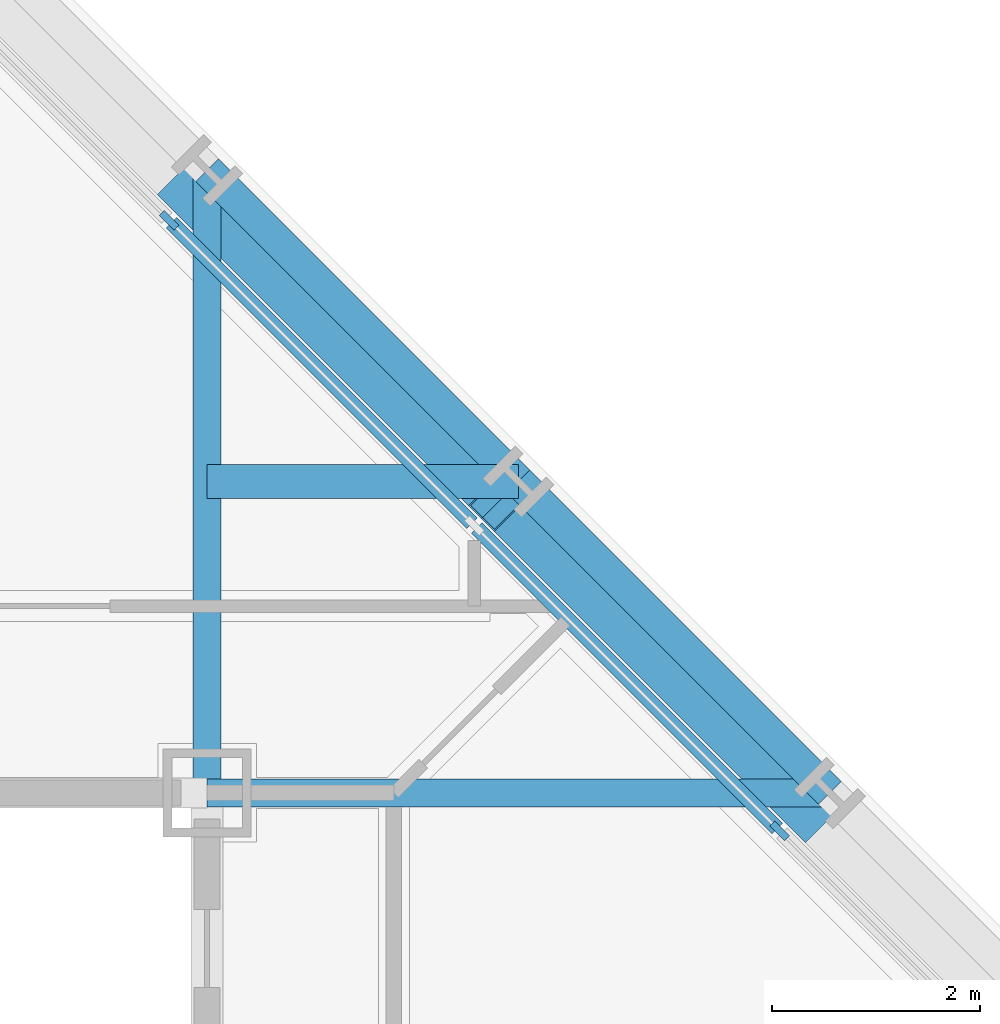
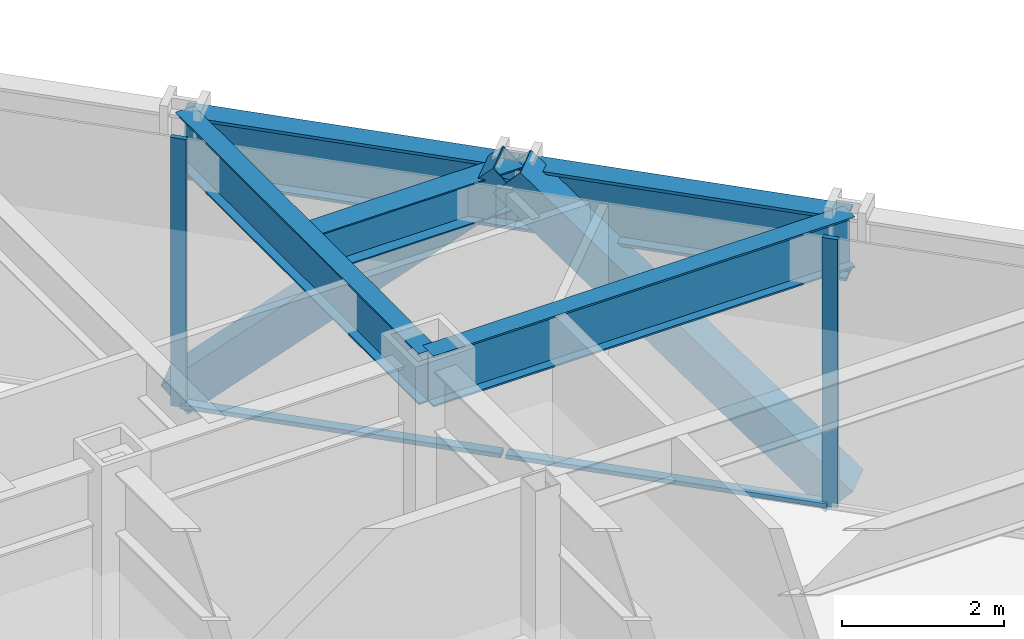
# One storey, part 8 of 17: 6 members, 5 beams, 1 element without a shape of its own.
"""IFC4 building model written with IfcOpenShell, lengths in metres."""

import ifcopenshell
import ifcopenshell.guid

model = None  # the IFC model being written
_history = None  # IfcOwnerHistory: only IFC2X3 demands one
_inside = {}  # id of a spatial element -> (the spatial element, [elements in it])
_under = {}  # id of a project, library or spatial element -> (it, [spatial elements below it])
_declared = {}  # id of a project -> (the project, [libraries it declares])
_typed = {}  # id of a type object -> (the type object, [elements of that type])
_made_of = {}  # id of a material, layer set ... -> (it, [elements and type objects made of it])


def new_model(schema):
    """Start an empty IFC model of exactly this schema.

    Asked for "IFC4X3", IfcOpenShell would pick the latest addendum, in which some entities
    have other attributes; the version numbers below select the first issue.
    IFC2X3 requires an IfcOwnerHistory on every rooted entity: one is made here for all.
    """
    global model, _history
    if schema == "IFC4X3":
        model = ifcopenshell.file(schema_version=(4, 3, 0, 0))
    else:
        model = ifcopenshell.file(schema=schema)
    _inside.clear()
    _under.clear()
    _declared.clear()
    _typed.clear()
    _made_of.clear()
    _history = None
    if model.schema == "IFC2X3":
        org = make("IfcOrganization", Name="unknown")
        user = make(
            "IfcPersonAndOrganization",
            ThePerson=make("IfcPerson", FamilyName="unknown"),
            TheOrganization=org,
        )
        app = make(
            "IfcApplication",
            ApplicationDeveloper=org,
            Version="unknown",
            ApplicationFullName="unknown",
            ApplicationIdentifier="unknown",
        )
        _history = make(
            "IfcOwnerHistory",
            OwningUser=user,
            OwningApplication=app,
            ChangeAction="ADDED",
            CreationDate=0,
        )
    return model


def make(cls, **values):
    """One entity of the class cls with the attributes given. An attribute that is None is left unset."""
    return model.create_entity(
        cls, **{name: value for name, value in values.items() if value is not None}
    )


def rooted(cls, **values):
    """An entity with a GlobalId (a new one), such as an element, a storey or a relation."""
    return make(cls, GlobalId=ifcopenshell.guid.new(), OwnerHistory=_history, **values)


def si_unit(unit_type, name, prefix=None):
    """IfcSIUnit, for example si_unit("LENGTHUNIT", "METRE", prefix="MILLI")."""
    return make("IfcSIUnit", UnitType=unit_type, Prefix=prefix, Name=name)


def assignment(units):
    """IfcUnitAssignment: the units of a project."""
    return None if units is None else make("IfcUnitAssignment", Units=units)


def point(xyz):
    """IfcCartesianPoint."""
    return None if xyz is None else make("IfcCartesianPoint", Coordinates=xyz)


def direction(xyz):
    """IfcDirection."""
    return None if xyz is None else make("IfcDirection", DirectionRatios=xyz)


def frame(location, z_axis=None, x_axis=None):
    """IfcAxis2Placement3D, a coordinate frame: its origin and axes. An axis left out is left unset."""
    return make(
        "IfcAxis2Placement3D",
        Location=point(location),
        Axis=direction(z_axis),
        RefDirection=direction(x_axis),
    )


def frame_2d(location, x_axis=None):
    """IfcAxis2Placement2D, a coordinate frame in the plane: its origin and x axis."""
    return make(
        "IfcAxis2Placement2D", Location=point(location), RefDirection=direction(x_axis)
    )


def origin():
    """The frame at (0, 0, 0) with its axes left unset."""
    return frame((0.0, 0.0, 0.0))


def origin_2d():
    """The frame at (0, 0) in the plane with its x axis left unset."""
    return frame_2d((0.0, 0.0))


def place(relative_to, where):
    """IfcLocalPlacement: puts the frame where relative to a parent placement (None: the world)."""
    return make(
        "IfcLocalPlacement", PlacementRelTo=relative_to, RelativePlacement=where
    )


def context(
    kind, dimensions, precision=None, world=None, true_north=None, identifier=None
):
    """IfcGeometricRepresentationContext, for example the 3D "Model" context."""
    return make(
        "IfcGeometricRepresentationContext",
        ContextIdentifier=identifier,
        ContextType=kind,
        CoordinateSpaceDimension=dimensions,
        Precision=precision,
        WorldCoordinateSystem=world,
        TrueNorth=true_north,
    )


def subcontext(parent, identifier, kind, view, scale=None):
    """IfcGeometricRepresentationSubContext, for example "Body" below "Model"."""
    return make(
        "IfcGeometricRepresentationSubContext",
        ContextIdentifier=identifier,
        ContextType=kind,
        ParentContext=parent,
        TargetScale=scale,
        TargetView=view,
    )


def project(units=None, contexts=None):
    """IfcProject with its units and contexts."""
    return rooted(
        "IfcProject",
        Name="project",
        RepresentationContexts=contexts,
        UnitsInContext=assignment(units),
    )


def spatial(cls, under=None, at=None, **own):
    """A site, building, storey or space (cls), placed at a placement, below another one or the project."""
    s = rooted(cls, ObjectPlacement=at, **own)
    if under is not None:
        _under.setdefault(under.id(), (under, []))[1].append(s)
    return s


def profile(cls, at=None, kind="AREA", **sizes):
    """A parametric profile (cls). Its sizes go by their IFC names, for example OverallWidth=200.0."""
    return make(cls, ProfileType=kind, Position=at, **sizes)


def rectangle(**sizes):
    """IfcRectangleProfileDef."""
    return profile("IfcRectangleProfileDef", **sizes)


def hollow_rectangle(**sizes):
    """IfcRectangleHollowProfileDef."""
    return profile("IfcRectangleHollowProfileDef", **sizes)


def i_section(**sizes):
    """IfcIShapeProfileDef."""
    return profile("IfcIShapeProfileDef", **sizes)


def extrude(swept, where, along, depth):
    """IfcExtrudedAreaSolid: the profile swept, set in the frame where, extruded along a direction by depth."""
    return make(
        "IfcExtrudedAreaSolid",
        SweptArea=swept,
        Position=where,
        ExtrudedDirection=direction(along),
        Depth=depth,
    )


def shape(context_of_items, identifier, shape_type, items):
    """IfcShapeRepresentation: the items that make up one representation, for example the "Body"."""
    return make(
        "IfcShapeRepresentation",
        ContextOfItems=context_of_items,
        RepresentationIdentifier=identifier,
        RepresentationType=shape_type,
        Items=items,
    )


def material(Name=None, Category=None):
    """IfcMaterial."""
    return make("IfcMaterial", Name=Name, Category=Category)


def layer(
    of_material, thickness, ventilated=None, Name=None, Category=None, Priority=None
):
    """IfcMaterialLayer: one layer of a wall or slab, of a material (None: an air gap)."""
    return make(
        "IfcMaterialLayer",
        Material=of_material,
        LayerThickness=thickness,
        IsVentilated=ventilated,
        Name=Name,
        Category=Category,
        Priority=Priority,
    )


def layer_set(layers, Name=None):
    """IfcMaterialLayerSet."""
    return make("IfcMaterialLayerSet", MaterialLayers=layers, LayerSetName=Name)


def material_profile(
    of_material, cross_section, Name=None, Category=None, Priority=None
):
    """IfcMaterialProfile: a cross section and its material."""
    return make(
        "IfcMaterialProfile",
        Name=Name,
        Material=of_material,
        Profile=cross_section,
        Priority=Priority,
        Category=Category,
    )


def profile_set(profiles, Name=None, composite=None):
    """IfcMaterialProfileSet."""
    return make(
        "IfcMaterialProfileSet",
        Name=Name,
        MaterialProfiles=profiles,
        CompositeProfile=composite,
    )


def made_of(thing, what):
    """Note that an element or type object is made of a material, layer set ...; save() writes the relation."""
    if what is not None:
        _made_of.setdefault(what.id(), (what, []))[1].append(thing)
    return thing


def type_object(cls, material=None, **own):
    """A type object (cls), such as IfcWallType, which elements share."""
    return made_of(rooted(cls, **own), material)


def element(
    cls,
    number,
    at=None,
    inside=None,
    cuts=None,
    type_object=None,
    material=None,
    context=None,
    identifier="Body",
    shape_type=None,
    held_by="IfcProductDefinitionShape",
    body=None,
    shapes=None,
    **own,
):
    """One element of the class cls, such as IfcWall. Its Tag is "e" and its number.

    at: its placement. inside: the storey or other place that contains it. cuts: it is an
    opening in that element (IfcRelVoidsElement). A single representation is given by context,
    identifier, shape_type and body (its items); several are given by shapes. held_by: the class
    of the entity that holds the representations. save() writes the other relations.
    """
    e = rooted(cls, Tag="e%d" % number, ObjectPlacement=at, **own)
    if body is not None:
        shapes = [shape(context, identifier, shape_type, body)]
    if shapes is not None:
        e.Representation = make(held_by, Representations=shapes)
    if inside is not None:
        _inside.setdefault(inside.id(), (inside, []))[1].append(e)
    if cuts is not None:
        rooted(
            "IfcRelVoidsElement", RelatingBuildingElement=cuts, RelatedOpeningElement=e
        )
    if type_object is not None:
        _typed.setdefault(type_object.id(), (type_object, []))[1].append(e)
    return made_of(e, material)


def aggregate(whole, parts):
    """IfcRelAggregates: a whole, such as a stair, and the parts it consists of."""
    return rooted("IfcRelAggregates", RelatingObject=whole, RelatedObjects=parts)


def save(model, path):
    """Write the relations noted so far, then the file.

    IfcRelAggregates (storeys below a building ...), IfcRelContainedInSpatialStructure (elements
    in a storey), IfcRelDefinesByType, IfcRelAssociatesMaterial and IfcRelDeclares: one each for
    every whole, place, type object, material and project.
    """
    for whole, parts in _under.values():
        aggregate(whole, parts)
    for where, things in _inside.values():
        rooted(
            "IfcRelContainedInSpatialStructure",
            RelatedElements=things,
            RelatingStructure=where,
        )
    for kind, things in _typed.values():
        rooted("IfcRelDefinesByType", RelatedObjects=things, RelatingType=kind)
    for what, things in _made_of.values():
        rooted("IfcRelAssociatesMaterial", RelatedObjects=things, RelatingMaterial=what)
    for by, libraries in _declared.values():
        rooted("IfcRelDeclares", RelatingContext=by, RelatedDefinitions=libraries)
    model.write(path)


model = new_model("IFC4")

# Units and contexts
model_context = context("Model", 3, precision=1e-05, world=origin(), true_north=direction((0.0, 1.0)))
body_context = subcontext(model_context, "Body", "Model", "MODEL_VIEW")
ifc_project = project(units=[si_unit("LENGTHUNIT", "METRE"), si_unit("AREAUNIT", "SQUARE_METRE"), si_unit("VOLUMEUNIT", "CUBIC_METRE"), si_unit("PLANEANGLEUNIT", "RADIAN"), si_unit("MASSUNIT", "GRAM", prefix="KILO")], contexts=[model_context])

# Site, building, storey
site_placement = place(None, origin())
site = spatial("IfcSite", under=ifc_project, at=site_placement, CompositionType="ELEMENT")
building_placement = place(site_placement, origin())
building = spatial("IfcBuilding", under=site, at=building_placement, Name="Chuquiago Exchange Tower", CompositionType="ELEMENT")
storey_placement = place(building_placement, frame((0.0, 0.0, 132.0)))
storey = spatial("IfcBuildingStorey", under=building, at=storey_placement, Name="L28", CompositionType="ELEMENT", Elevation=132.0)

# Beam
ifc_material_1 = material(Name="Steel ASTM A992", Category="steel")
ifc_material_profile_1 = material_profile(ifc_material_1, i_section(OverallWidth=0.3251953125, OverallDepth=0.612060546875, WebThickness=0.0126953125, FlangeThickness=0.01904296875, at=origin_2d()), Name="W24X104")
ifc_profile_set_1 = profile_set([ifc_material_profile_1], Name="Steel ASTM A992")
beam_type_1 = type_object("IfcBeamType", Name="B2 W24X104", PredefinedType="BEAM", material=ifc_profile_set_1)
beam_placement = place(storey_placement, frame((33.0, 36.0, 3.73388671875), z_axis=(1.0, 0.0, 0.0), x_axis=(0.0, 1.0, 0.0)))
element("IfcBeam", 1, at=beam_placement, inside=storey, type_object=beam_type_1, Name="FB-L29-corner-33_36-36_36-0", PredefinedType="BEAM", context=body_context, shape_type="SweptSolid", body=[
    extrude(i_section(OverallWidth=0.3251953125, OverallDepth=0.612060546875, WebThickness=0.0126953125, FlangeThickness=0.01904296875, at=origin_2d()), origin(), (0.0, 0.0, 1.0), 3.0),
])

# Curtain wall, members
ifc_material_2 = material(Name="Aluminium curtain wall system", Category="aluminium")
ifc_layer = layer(ifc_material_2, 0.199951171875)
ifc_layer_set = layer_set([ifc_layer], Name="CW3 facet curtain wall")
curtain_wall_type = type_object("IfcCurtainWallType", Name="CW3 facet curtain wall", PredefinedType="NOTDEFINED", material=ifc_layer_set)
curtain_wall_placement = place(storey_placement, origin())
curtain_wall = element("IfcCurtainWall", 2, at=curtain_wall_placement, inside=storey, type_object=curtain_wall_type, Name="CW3 curtain wall L28", PredefinedType="NOTDEFINED")
ifc_material_3 = material(Name="Aluminium mullion, pale anodised", Category="aluminium")
ifc_material_profile_2 = material_profile(ifc_material_3, rectangle(XDim=0.06494140625, YDim=0.199951171875, at=origin_2d()), Name="AL 65x200")
ifc_profile_set_2 = profile_set([ifc_material_profile_2], Name="Aluminium mullion, pale anodised")
member_type_1 = type_object("IfcMemberType", Name="CW3-M mullion 65x200", PredefinedType="MULLION", material=ifc_profile_set_2)
member_1_placement = place(storey_placement, frame((38.51708984375, 32.63427734375, 0.0), z_axis=(0.0, 0.0, 1.0), x_axis=(-0.707106781187, -0.707106781187, 0.0)))
member_1 = element("IfcMember", 3, at=member_1_placement, type_object=member_type_1, Name="CW3 mullion 3", PredefinedType="MULLION", context=body_context, shape_type="SweptSolid", body=[
    extrude(rectangle(XDim=0.06494140625, YDim=0.199951171875, at=origin_2d()), origin(), (0.0, 0.0, 1.0), 4.0400390625),
])
member_2_placement = place(storey_placement, frame((32.63427734375, 38.51708984375, 0.0), z_axis=(0.0, 0.0, 1.0), x_axis=(-0.707106781187, -0.707106781187, 0.0)))
member_2 = element("IfcMember", 4, at=member_2_placement, type_object=member_type_1, Name="CW3 mullion 5", PredefinedType="MULLION", context=body_context, shape_type="SweptSolid", body=[
    extrude(rectangle(XDim=0.06494140625, YDim=0.199951171875, at=origin_2d()), origin(), (0.0, 0.0, 1.0), 4.0400390625),
])
ifc_material_4 = material(Name="Aluminium transom, pale anodised", Category="aluminium")
ifc_material_profile_3 = material_profile(ifc_material_4, rectangle(XDim=0.139892578125, YDim=0.06494140625, at=origin_2d()), Name="AL 140x65")
ifc_profile_set_3 = profile_set([ifc_material_profile_3], Name="Aluminium transom, pale anodised")
member_type_2 = type_object("IfcMemberType", Name="CW3-T transom 65x140", PredefinedType="MULLION", material=ifc_profile_set_3)
member_3_placement = place(storey_placement, frame((38.494140625, 32.6572265625, 0.032470703125), z_axis=(-0.707106781187, 0.707106781187, 0.0), x_axis=(-0.707106781187, -0.707106781187, 0.0)))
member_3 = element("IfcMember", 5, at=member_3_placement, type_object=member_type_2, Name="CW3 transom 3.1", PredefinedType="MULLION", context=body_context, shape_type="SweptSolid", body=[
    extrude(rectangle(XDim=0.139892578125, YDim=0.06494140625, at=origin_2d()), origin(), (0.0, 0.0, 1.0), 4.094970703125),
])
member_4_placement = place(storey_placement, frame((35.552734375, 35.5986328125, 0.032470703125), z_axis=(-0.707106781187, 0.707106781187, 0.0), x_axis=(-0.707106781187, -0.707106781187, 0.0)))
member_4 = element("IfcMember", 6, at=member_4_placement, type_object=member_type_2, Name="CW3 transom 4.1", PredefinedType="MULLION", context=body_context, shape_type="SweptSolid", body=[
    extrude(rectangle(XDim=0.139892578125, YDim=0.06494140625, at=origin_2d()), origin(), (0.0, 0.0, 1.0), 4.094970703125),
])
aggregate(curtain_wall, [member_1, member_2, member_3, member_4])

# Beams
ifc_material_5 = material(Name="Steel ASTM A992", Category="steel")
ifc_material_profile_4 = material_profile(ifc_material_5, i_section(OverallWidth=0.2666015625, OverallDepth=0.76953125, WebThickness=0.015625, FlangeThickness=0.025390625, at=origin_2d()), Name="W30X132")
ifc_profile_set_4 = profile_set([ifc_material_profile_4], Name="Steel ASTM A992")
beam_type_2 = type_object("IfcBeamType", Name="G1 W30X132", PredefinedType="BEAM", material=ifc_profile_set_4)
for number, where, z_axis, x_axis, name in (
    (7, (33.0, 33.0, 3.6552734375), (0.0, 1.0, 0.0), (-1.0, 0.0, 0.0), "FB-L29-girder-33_33-33_39-0"),
    (8, (33.0, 33.0, 3.6552734375), (1.0, 0.0, 0.0), (0.0, 1.0, 0.0), "FB-L29-girder-33_33-39_33-0"),
):
    element("IfcBeam", number, at=place(storey_placement, frame(where, z_axis=z_axis, x_axis=x_axis)), inside=storey, type_object=beam_type_2, Name=name, PredefinedType="BEAM", context=body_context, shape_type="SweptSolid", body=[
        extrude(i_section(OverallWidth=0.2666015625, OverallDepth=0.76953125, WebThickness=0.015625, FlangeThickness=0.025390625, at=origin_2d()), origin(), (0.0, 0.0, 1.0), 6.0),
    ])

# Members
ifc_material_6 = material(Name="Steel ASTM A500 Grade C", Category="steel")
ifc_material_profile_5 = material_profile(ifc_material_6, hollow_rectangle(XDim=0.508056640625, YDim=0.508056640625, WallThickness=0.017822265625, at=origin_2d()), Name="HSS20X20X3/4")
ifc_profile_set_5 = profile_set([ifc_material_profile_5], Name="Steel ASTM A500 Grade C")
member_type_3 = type_object("IfcMemberType", Name="LB1 HSS20X20X3/4", PredefinedType="BRACE", material=ifc_profile_set_5)
for number, where, z_axis, x_axis, name in (
    (9, (38.822509765625, 32.822509765625, 0.0), (-0.512077265487, 0.512077265487, 0.689604051861), (-0.707106781187, -0.707106781187, 0.0), "LB-L28-39_33-36_36"),
    (10, (32.822509765625, 38.822509765625, 0.0), (0.512077265487, -0.512077265487, 0.689604051861), (0.707106781187, 0.707106781187, 0.0), "LB-L28-36_36-33_39"),
):
    element("IfcMember", number, at=place(storey_placement, frame(where, z_axis=z_axis, x_axis=x_axis)), inside=storey, type_object=member_type_3, Name=name, PredefinedType="BRACE", context=body_context, shape_type="SweptSolid", body=[
        extrude(hollow_rectangle(XDim=0.508056640625, YDim=0.508056640625, WallThickness=0.017822265625, at=origin_2d()), origin(), (0.0, 0.0, 1.0), 5.8583984375),
    ])

# Beams
ifc_material_7 = material(Name="Steel ASTM A992", Category="steel")
ifc_material_profile_6 = material_profile(ifc_material_7, i_section(OverallWidth=0.309814453125, OverallDepth=0.949951171875, WebThickness=0.0244140625, FlangeThickness=0.0439453125, at=origin_2d()), Name="W36X256")
ifc_profile_set_6 = profile_set([ifc_material_profile_6], Name="Steel ASTM A992")
beam_type_3 = type_object("IfcBeamType", Name="SP2 W36X256", PredefinedType="SPANDREL", material=ifc_profile_set_6)
for number, where, z_axis, x_axis, name in (
    (11, (39.0, 33.0, 3.56494140625), (-0.707106781187, 0.707106781187, 0.0), (-0.707106781187, -0.707106781187, 0.0), "SPB-L29-39_33-36_36"),
    (12, (36.0, 36.0, 3.56494140625), (-0.707106781187, 0.707106781187, 0.0), (-0.707106781187, -0.707106781187, 0.0), "SPB-L29-36_36-33_39"),
):
    element("IfcBeam", number, at=place(storey_placement, frame(where, z_axis=z_axis, x_axis=x_axis)), inside=storey, type_object=beam_type_3, Name=name, PredefinedType="SPANDREL", context=body_context, shape_type="SweptSolid", body=[
        extrude(i_section(OverallWidth=0.309814453125, OverallDepth=0.949951171875, WebThickness=0.0244140625, FlangeThickness=0.0439453125, at=origin_2d()), origin(), (0.0, 0.0, 1.0), 4.24267578125),
    ])

save(model, "model.ifc")
